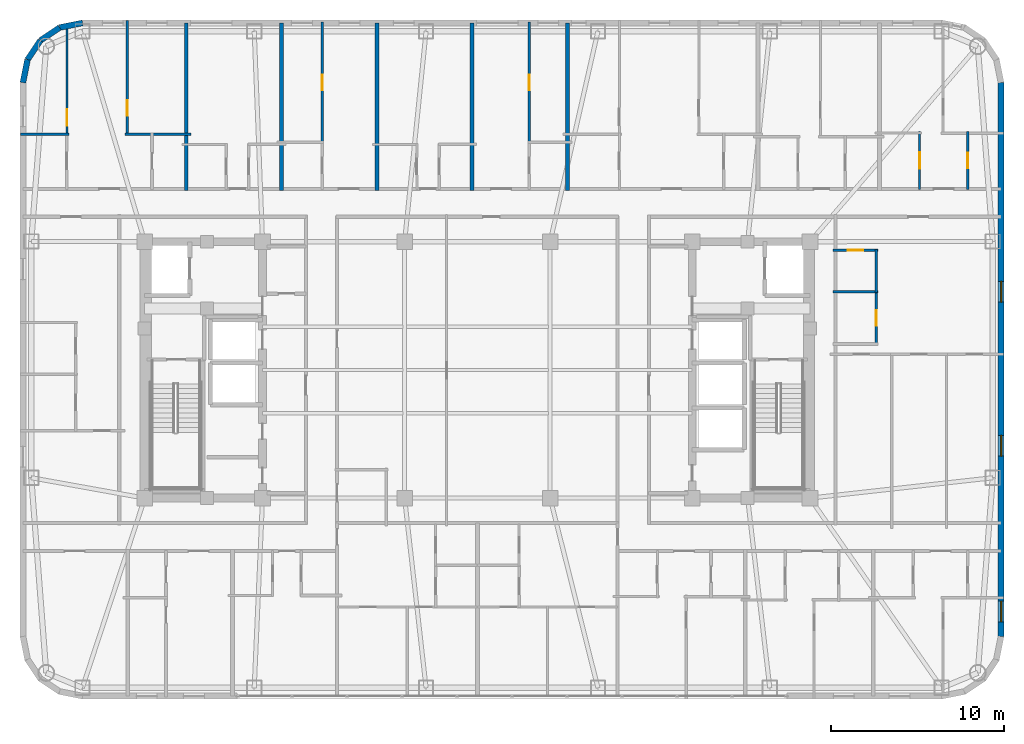
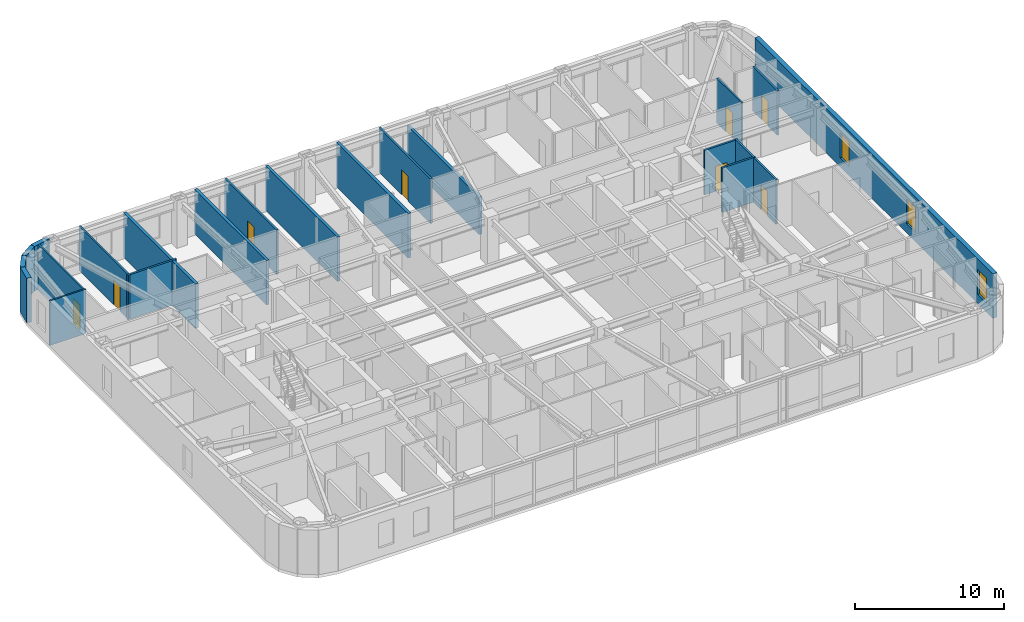
# One storey, part 13 of 17: 22 walls, 8 doors, 3 windows, 11 openings.
"""IFC4 building model written with IfcOpenShell, lengths in metres."""

from ifc_helpers import new_model, si_unit, direction, frame, frame_2d, origin, place, context, subcontext, project, spatial, rectangle, extrude, material, layer, layer_set, type_object, element, fill, save


model = new_model("IFC4")

# Units and contexts
model_context = context("Model", 3, precision=1e-05, world=origin(), true_north=direction((0.0, 1.0)))
body_context = subcontext(model_context, "Body", "Model", "MODEL_VIEW")
ifc_project = project(units=[si_unit("LENGTHUNIT", "METRE"), si_unit("AREAUNIT", "SQUARE_METRE"), si_unit("VOLUMEUNIT", "CUBIC_METRE"), si_unit("PLANEANGLEUNIT", "RADIAN"), si_unit("MASSUNIT", "GRAM", prefix="KILO")], contexts=[model_context])

# Site, building, storey
site_placement = place(None, origin())
site = spatial("IfcSite", under=ifc_project, at=site_placement, CompositionType="ELEMENT")
building_placement = place(site_placement, origin())
building = spatial("IfcBuilding", under=site, at=building_placement, Name="Voryun Gate Residences", CompositionType="ELEMENT")
storey_placement = place(building_placement, frame((0.0, 0.0, 204.10009765625)))
storey = spatial("IfcBuildingStorey", under=building, at=storey_placement, Name="L50", CompositionType="ELEMENT", Elevation=204.10009765625)

# Walls
ifc_material_1 = material(Name="Charcoal terracotta masonry", Category="masonry")
ifc_layer_1 = layer(ifc_material_1, 0.340087890625, Name="W_EXT_TERRACOTTA_340")
ifc_layer_set_1 = layer_set([ifc_layer_1], Name="Charcoal terracotta masonry")
wall_type_1 = type_object("IfcWallType", Name="W_EXT_TERRACOTTA_340", PredefinedType="ELEMENTEDWALL", material=ifc_layer_set_1)
wall_1_placement = place(storey_placement, frame((-26.22998046875, 16.583251953125, 0.0), z_axis=(0.0, 0.0, 1.0), x_axis=(0.195075878998, 0.980788153188, 0.0)))
element("IfcWall", 1, at=wall_1_placement, inside=storey, type_object=wall_type_1, Name="Exterior wall WEXT-L50-07", PredefinedType="ELEMENTEDWALL", context=body_context, shape_type="SweptSolid", body=[
    extrude(rectangle(XDim=1.354248046875, YDim=0.340087890625, at=frame_2d((0.67724609375, 0.0))), origin(), (0.0, 0.0, 1.0), 3.64990234375),
])
for number, where, z_axis, x_axis, name in (
    (2, (-25.9658203125, 17.911376953125, 0.0), (0.0, 0.0, 1.0), (0.555669034571, 0.831403586725, 0.0), "Exterior wall WEXT-L50-08"),
    (3, (-25.222900390625, 19.02294921875, 0.0), (0.0, 0.0, 1.0), (0.831403586725, 0.555669034571, 0.0), "Exterior wall WEXT-L50-09"),
):
    element("IfcWall", number, at=place(storey_placement, frame(where, z_axis=z_axis, x_axis=x_axis)), inside=storey, type_object=wall_type_1, Name=name, PredefinedType="ELEMENTEDWALL", context=body_context, shape_type="SweptSolid", body=[
        extrude(rectangle(XDim=1.3369140625, YDim=0.340087890625, at=frame_2d((0.66845703125, 0.0))), origin(), (0.0, 0.0, 1.0), 3.64990234375),
    ])
wall_2_placement = place(storey_placement, frame((-24.111328125, 19.765869140625, 0.0), z_axis=(0.0, 0.0, 1.0), x_axis=(0.980788153188, 0.195075878998, 0.0)))
element("IfcWall", 4, at=wall_2_placement, inside=storey, type_object=wall_type_1, Name="Exterior wall WEXT-L50-10", PredefinedType="ELEMENTEDWALL", context=body_context, shape_type="SweptSolid", body=[
    extrude(rectangle(XDim=1.354248046875, YDim=0.340087890625, at=frame_2d((0.67724609375, 0.0))), origin(), (0.0, 0.0, 1.0), 3.64990234375),
])

# Wall, openings, windows
wall_3_placement = place(storey_placement, frame((30.22998046875, 16.583251953125, 0.0), z_axis=(0.0, 0.0, 1.0), x_axis=(0.0, -1.0, 0.0)))
wall_3 = element("IfcWall", 5, at=wall_3_placement, inside=storey, type_object=wall_type_1, Name="Exterior wall WEXT-L50-16", PredefinedType="ELEMENTEDWALL", context=body_context, shape_type="SweptSolid", body=[
    extrude(rectangle(XDim=31.966552734375, YDim=0.340087890625, at=frame_2d((15.9833984375, 0.0))), origin(), (0.0, 0.0, 1.0), 3.64990234375),
])
opening_1_placement = place(wall_3_placement, frame((29.923583984375, 0.0, 0.75)))
opening_1 = element("IfcOpeningElement", 6, at=opening_1_placement, cuts=wall_3, Name="Opening WN6", PredefinedType="OPENING", context=body_context, shape_type="SweptSolid", body=[
    extrude(rectangle(XDim=1.199951171875, YDim=2.050048828125, at=frame_2d((0.60009765625, 1.02490234375))), frame((0.0, 0.179931640625, 0.0), z_axis=(0.0, -1.0, 0.0), x_axis=(1.0, 0.0, 0.0)), (0.0, 0.0, 1.0), 0.360107421875),
])
opening_2_placement = place(wall_3_placement, frame((11.46337890625, 0.0, 0.75)))
opening_2 = element("IfcOpeningElement", 7, at=opening_2_placement, cuts=wall_3, Name="Opening WN6", PredefinedType="OPENING", context=body_context, shape_type="SweptSolid", body=[
    extrude(rectangle(XDim=1.199951171875, YDim=2.050048828125, at=frame_2d((0.60009765625, 1.02490234375))), frame((0.0, 0.179931640625, 0.0), z_axis=(0.0, -1.0, 0.0), x_axis=(1.0, 0.0, 0.0)), (0.0, 0.0, 1.0), 0.360107421875),
])
opening_3_placement = place(wall_3_placement, frame((20.36328125, 0.0, 0.75)))
opening_3 = element("IfcOpeningElement", 8, at=opening_3_placement, cuts=wall_3, Name="Opening WN6", PredefinedType="OPENING", context=body_context, shape_type="SweptSolid", body=[
    extrude(rectangle(XDim=1.199951171875, YDim=2.050048828125, at=frame_2d((0.60009765625, 1.02490234375))), frame((0.0, 0.179931640625, 0.0), z_axis=(0.0, -1.0, 0.0), x_axis=(1.0, 0.0, 0.0)), (0.0, 0.0, 1.0), 0.360107421875),
])
ifc_material_2 = material(Name="Laminated low-E glass", Category="glass")
window_type = type_object("IfcWindowType", Name="WN_POD_SLOT_1200", PartitioningType="SINGLE_PANEL", PredefinedType="WINDOW", material=ifc_material_2)
window_1_placement = place(opening_1_placement, origin())
window_1 = element("IfcWindow", 9, at=window_1_placement, inside=storey, type_object=window_type, Name="Window WN-L50-DWFIX-19", OverallHeight=2.050048828125, OverallWidth=1.199951171875, PartitioningType="SINGLE_PANEL", PredefinedType="WINDOW", context=body_context, shape_type="SweptSolid", body=[
    extrude(rectangle(XDim=1.199951171875, YDim=2.050048828125, at=frame_2d((0.60009765625, 1.02490234375))), frame((0.0, 0.030029296875, 0.0), z_axis=(0.0, -1.0, 0.0), x_axis=(1.0, 0.0, 0.0)), (0.0, 0.0, 1.0), 0.06005859375),
])
fill(opening_1, window_1)
window_2_placement = place(opening_2_placement, origin())
window_2 = element("IfcWindow", 10, at=window_2_placement, inside=storey, type_object=window_type, Name="Window WN-L50-DWFIX-22", OverallHeight=2.050048828125, OverallWidth=1.199951171875, PartitioningType="SINGLE_PANEL", PredefinedType="WINDOW", context=body_context, shape_type="SweptSolid", body=[
    extrude(rectangle(XDim=1.199951171875, YDim=2.050048828125, at=frame_2d((0.60009765625, 1.02490234375))), frame((0.0, 0.030029296875, 0.0), z_axis=(0.0, -1.0, 0.0), x_axis=(1.0, 0.0, 0.0)), (0.0, 0.0, 1.0), 0.06005859375),
])
fill(opening_2, window_2)
window_3_placement = place(opening_3_placement, origin())
window_3 = element("IfcWindow", 11, at=window_3_placement, inside=storey, type_object=window_type, Name="Window WN-L50-DWFIX-23", OverallHeight=2.050048828125, OverallWidth=1.199951171875, PartitioningType="SINGLE_PANEL", PredefinedType="WINDOW", context=body_context, shape_type="SweptSolid", body=[
    extrude(rectangle(XDim=1.199951171875, YDim=2.050048828125, at=frame_2d((0.60009765625, 1.02490234375))), frame((0.0, 0.030029296875, 0.0), z_axis=(0.0, -1.0, 0.0), x_axis=(1.0, 0.0, 0.0)), (0.0, 0.0, 1.0), 0.06005859375),
])
fill(opening_3, window_3)

# Walls
ifc_material_3 = material(Name="Concrete C40/50", Category="concrete")
ifc_layer_2 = layer(ifc_material_3, 0.219970703125, Name="W_PARTY_ACOUSTIC_220")
ifc_layer_set_2 = layer_set([ifc_layer_2], Name="Concrete C40/50")
wall_type_2 = type_object("IfcWallType", Name="W_PARTY_ACOUSTIC_220", PredefinedType="PARTITIONING", material=ifc_layer_set_2)
for number, where, z_axis, x_axis, name in (
    (12, (-16.800048828125, 10.3701171875, 0.0), (0.0, 0.0, 1.0), (0.0, 1.0, 0.0), "Partition wall WP-L50-NPTY-1"),
    (13, (-11.300048828125, 10.3701171875, 0.0), (0.0, 0.0, 1.0), (0.0, 1.0, 0.0), "Partition wall WP-L50-NPTY-2"),
    (14, (-5.800048828125, 10.3701171875, 0.0), (0.0, 0.0, 1.0), (0.0, 1.0, 0.0), "Partition wall WP-L50-NPTY-3"),
    (15, (-0.300048828125, 10.3701171875, 0.0), (0.0, 0.0, 1.0), (0.0, 1.0, 0.0), "Partition wall WP-L50-NPTY-4"),
):
    element("IfcWall", number, at=place(storey_placement, frame(where, z_axis=z_axis, x_axis=x_axis)), inside=storey, type_object=wall_type_2, Name=name, PredefinedType="PARTITIONING", context=body_context, shape_type="SweptSolid", body=[
        extrude(rectangle(XDim=9.659912109375, YDim=0.219970703125, at=frame_2d((4.830078125, 0.0))), origin(), (0.0, 0.0, 1.0), 3.64990234375),
    ])
wall_4_placement = place(storey_placement, frame((5.199951171875, 10.3701171875, 0.0), z_axis=(0.0, 0.0, 1.0), x_axis=(0.0, 1.0, 0.0)))
element("IfcWall", 16, at=wall_4_placement, inside=storey, type_object=wall_type_2, Name="Partition wall WP-L50-NPTY-5", PredefinedType="PARTITIONING", context=body_context, shape_type="SweptSolid", body=[
    extrude(rectangle(XDim=9.659912109375, YDim=0.219970703125, at=frame_2d((4.830078125, 0.0))), origin(), (0.0, 0.0, 1.0), 3.08984375),
])

# Wall, opening, door
ifc_material_4 = material(Name="Gypsum acoustic partition")
ifc_layer_3 = layer(ifc_material_4, 0.125, Name="W_UNIT_PART_125")
ifc_layer_set_3 = layer_set([ifc_layer_3], Name="Gypsum acoustic partition")
wall_type_3 = type_object("IfcWallType", Name="W_UNIT_PART_125", PredefinedType="PARTITIONING", material=ifc_layer_set_3)
wall_5_placement = place(storey_placement, frame((-23.68701171875, 13.54052734375, 0.0), z_axis=(0.0, 0.0, 1.0), x_axis=(0.0, 1.0, 0.0)))
wall_5 = element("IfcWall", 17, at=wall_5_placement, inside=storey, type_object=wall_type_3, Name="Partition wall WP-L50-N1-OVL", PredefinedType="PARTITIONING", context=body_context, shape_type="SweptSolid", body=[
    extrude(rectangle(XDim=6.462646484375, YDim=0.125, at=frame_2d((3.2314453125, 0.0))), origin(), (0.0, 0.0, 1.0), 3.64990234375),
])
opening_4_placement = place(wall_5_placement, frame((0.544189453125, 0.0, 0.0)))
opening_4 = element("IfcOpeningElement", 18, at=opening_4_placement, cuts=wall_5, Name="Opening D-INT-1", PredefinedType="OPENING", context=body_context, shape_type="SweptSolid", body=[
    extrude(rectangle(XDim=0.949951171875, YDim=2.050048828125, at=frame_2d((0.47509765625, 1.02490234375))), frame((0.0, 0.072509765625, 0.0), z_axis=(0.0, -1.0, 0.0), x_axis=(1.0, 0.0, 0.0)), (0.0, 0.0, 1.0), 0.14501953125),
])
ifc_material_5 = material(Name="Architectural oak veneer")
door_type_1 = type_object("IfcDoorType", Name="DR_INT_ROOM_950", OperationType="NOTDEFINED", PredefinedType="DOOR", material=ifc_material_5)
door_1_placement = place(opening_4_placement, origin())
door_1 = element("IfcDoor", 19, at=door_1_placement, inside=storey, type_object=door_type_1, Name="Door DR-L50-N1-DB2", OperationType="SINGLE_SWING_LEFT", OverallHeight=2.050048828125, OverallWidth=0.949951171875, PredefinedType="DOOR", context=body_context, shape_type="SweptSolid", body=[
    extrude(rectangle(XDim=0.949951171875, YDim=2.050048828125, at=frame_2d((0.47509765625, 1.02490234375))), frame((0.0, 0.02490234375, 0.0), z_axis=(0.0, -1.0, 0.0), x_axis=(1.0, 0.0, 0.0)), (0.0, 0.0, 1.0), 0.050048828125),
])
fill(opening_4, door_1)

wall_6_placement = place(storey_placement, frame((-20.2099609375, 13.52294921875, 0.0), z_axis=(0.0, 0.0, 1.0), x_axis=(0.0, 1.0, 0.0)))
wall_6 = element("IfcWall", 20, at=wall_6_placement, inside=storey, type_object=wall_type_3, Name="Partition wall WP-L50-N1-OVR", PredefinedType="PARTITIONING", context=body_context, shape_type="SweptSolid", body=[
    extrude(rectangle(XDim=6.656982421875, YDim=0.125, at=frame_2d((3.32861328125, 0.0))), origin(), (0.0, 0.0, 1.0), 3.64990234375),
])
opening_5_placement = place(wall_6_placement, frame((1.147705078125, 0.0, 0.0)))
opening_5 = element("IfcOpeningElement", 21, at=opening_5_placement, cuts=wall_6, Name="Opening D-INT-2", PredefinedType="OPENING", context=body_context, shape_type="SweptSolid", body=[
    extrude(rectangle(XDim=0.89990234375, YDim=2.050048828125, at=frame_2d((0.449951171875, 1.02490234375))), frame((0.0, 0.072509765625, 0.0), z_axis=(0.0, -1.0, 0.0), x_axis=(1.0, 0.0, 0.0)), (0.0, 0.0, 1.0), 0.14501953125),
])
ifc_material_6 = material(Name="Architectural oak veneer")
door_type_2 = type_object("IfcDoorType", Name="DR_INT_BATH_900", OperationType="NOTDEFINED", PredefinedType="DOOR", material=ifc_material_6)
door_2_placement = place(opening_5_placement, origin())
door_2 = element("IfcDoor", 22, at=door_2_placement, inside=storey, type_object=door_type_2, Name="Door DR-L50-N1-DMB", OperationType="SINGLE_SWING_RIGHT", OverallHeight=2.050048828125, OverallWidth=0.89990234375, PredefinedType="DOOR", context=body_context, shape_type="SweptSolid", body=[
    extrude(rectangle(XDim=0.89990234375, YDim=2.050048828125, at=frame_2d((0.449951171875, 1.02490234375))), frame((0.0, 0.02490234375, 0.0), z_axis=(0.0, -1.0, 0.0), x_axis=(1.0, 0.0, 0.0)), (0.0, 0.0, 1.0), 0.050048828125),
])
fill(opening_5, door_2)

# Wall
wall_7_placement = place(storey_placement, frame((-26.3798828125, 13.60302734375, 0.0), z_axis=(0.0, 0.0, 1.0), x_axis=(1.0, 0.0, 0.0)))
element("IfcWall", 23, at=wall_7_placement, inside=storey, type_object=wall_type_3, Name="Partition wall WP-L50-N1-HZK", PredefinedType="PARTITIONING", context=body_context, shape_type="SweptSolid", body=[
    extrude(rectangle(XDim=2.81298828125, YDim=0.125, at=frame_2d((1.406494140625, 0.0))), origin(), (0.0, 0.0, 1.0), 3.64990234375),
])

# Wall, opening, door
wall_8_placement = place(storey_placement, frame((25.528076171875, 10.429931640625, 0.0), z_axis=(0.0, 0.0, 1.0), x_axis=(0.0, 1.0, 0.0)))
wall_8 = element("IfcWall", 24, at=wall_8_placement, inside=storey, type_object=wall_type_3, Name="Partition wall WP-L50-N8-IVK", PredefinedType="PARTITIONING", context=body_context, shape_type="SweptSolid", body=[
    extrude(rectangle(XDim=3.320068359375, YDim=0.125, at=frame_2d((1.66015625, 0.0))), origin(), (0.0, 0.0, 1.0), 3.64990234375),
])
opening_6_placement = place(wall_8_placement, frame((1.18505859375, 0.0, 0.0)))
opening_6 = element("IfcOpeningElement", 25, at=opening_6_placement, cuts=wall_8, Name="Opening D-INT-1", PredefinedType="OPENING", context=body_context, shape_type="SweptSolid", body=[
    extrude(rectangle(XDim=0.949951171875, YDim=2.050048828125, at=frame_2d((0.47509765625, 1.02490234375))), frame((0.0, 0.072509765625, 0.0), z_axis=(0.0, -1.0, 0.0), x_axis=(1.0, 0.0, 0.0)), (0.0, 0.0, 1.0), 0.14501953125),
])
door_3_placement = place(opening_6_placement, origin())
door_3 = element("IfcDoor", 26, at=door_3_placement, inside=storey, type_object=door_type_1, Name="Door DR-L50-N8-DK", OperationType="SINGLE_SWING_LEFT", OverallHeight=2.050048828125, OverallWidth=0.949951171875, PredefinedType="DOOR", context=body_context, shape_type="SweptSolid", body=[
    extrude(rectangle(XDim=0.949951171875, YDim=2.050048828125, at=frame_2d((0.47509765625, 1.02490234375))), frame((0.0, 0.02490234375, 0.0), z_axis=(0.0, -1.0, 0.0), x_axis=(1.0, 0.0, 0.0)), (0.0, 0.0, 1.0), 0.050048828125),
])
fill(opening_6, door_3)

# Wall
ifc_material_7 = material(Name="Gypsum moisture-resistant partition")
ifc_layer_4 = layer(ifc_material_7, 0.14990234375, Name="W_WET_PLUMB_150")
ifc_layer_set_4 = layer_set([ifc_layer_4], Name="Gypsum moisture-resistant partition")
wall_type_4 = type_object("IfcWallType", Name="W_WET_PLUMB_150", PredefinedType="PLUMBINGWALL", material=ifc_layer_set_4)
wall_9_placement = place(storey_placement, frame((-20.330078125, 13.60302734375, 0.0), z_axis=(0.0, 0.0, 1.0), x_axis=(1.0, 0.0, 0.0)))
element("IfcWall", 27, at=wall_9_placement, inside=storey, type_object=wall_type_4, Name="Partition wall WP-L50-N1-HZB", PredefinedType="PLUMBINGWALL", context=body_context, shape_type="SweptSolid", body=[
    extrude(rectangle(XDim=3.7900390625, YDim=0.14990234375, at=frame_2d((1.89501953125, 0.0))), origin(), (0.0, 0.0, 1.0), 3.64990234375),
])

# Wall, opening, door
wall_10_placement = place(storey_placement, frame((-8.958984375, 13.110107421875, 0.0), z_axis=(0.0, 0.0, 1.0), x_axis=(0.0, 1.0, 0.0)))
wall_10 = element("IfcWall", 28, at=wall_10_placement, inside=storey, type_object=wall_type_4, Name="Partition wall WP-L50-N3-SVT2", PredefinedType="PLUMBINGWALL", context=body_context, shape_type="SweptSolid", body=[
    extrude(rectangle(XDim=6.966796875, YDim=0.14990234375, at=frame_2d((3.4833984375, 0.0))), origin(), (0.0, 0.0, 1.0), 3.64990234375),
])
opening_7_placement = place(wall_10_placement, frame((3.033447265625, 0.0, 0.0)))
opening_7 = element("IfcOpeningElement", 29, at=opening_7_placement, cuts=wall_10, Name="Opening D-INT-2", PredefinedType="OPENING", context=body_context, shape_type="SweptSolid", body=[
    extrude(rectangle(XDim=0.89990234375, YDim=2.050048828125, at=frame_2d((0.449951171875, 1.02490234375))), frame((0.0, 0.0849609375, 0.0), z_axis=(0.0, -1.0, 0.0), x_axis=(1.0, 0.0, 0.0)), (0.0, 0.0, 1.0), 0.169921875),
])
door_4_placement = place(opening_7_placement, origin())
door_4 = element("IfcDoor", 30, at=door_4_placement, inside=storey, type_object=door_type_2, Name="Door DR-L50-N3-DK", OperationType="SINGLE_SWING_RIGHT", OverallHeight=2.050048828125, OverallWidth=0.89990234375, PredefinedType="DOOR", context=body_context, shape_type="SweptSolid", body=[
    extrude(rectangle(XDim=0.89990234375, YDim=2.050048828125, at=frame_2d((0.449951171875, 1.02490234375))), frame((0.0, 0.02490234375, 0.0), z_axis=(0.0, -1.0, 0.0), x_axis=(1.0, 0.0, 0.0)), (0.0, 0.0, 1.0), 0.050048828125),
])
fill(opening_7, door_4)

wall_11_placement = place(storey_placement, frame((2.989990234375, 13.110107421875, 0.0), z_axis=(0.0, 0.0, 1.0), x_axis=(0.0, 1.0, 0.0)))
wall_11 = element("IfcWall", 31, at=wall_11_placement, inside=storey, type_object=wall_type_4, Name="Partition wall WP-L50-N5-SVT2", PredefinedType="PLUMBINGWALL", context=body_context, shape_type="SweptSolid", body=[
    extrude(rectangle(XDim=6.966796875, YDim=0.14990234375, at=frame_2d((3.4833984375, 0.0))), origin(), (0.0, 0.0, 1.0), 3.64990234375),
])
opening_8_placement = place(wall_11_placement, frame((3.033447265625, 0.0, 0.0)))
opening_8 = element("IfcOpeningElement", 32, at=opening_8_placement, cuts=wall_11, Name="Opening D-INT-2", PredefinedType="OPENING", context=body_context, shape_type="SweptSolid", body=[
    extrude(rectangle(XDim=0.89990234375, YDim=2.050048828125, at=frame_2d((0.449951171875, 1.02490234375))), frame((0.0, 0.0849609375, 0.0), z_axis=(0.0, -1.0, 0.0), x_axis=(1.0, 0.0, 0.0)), (0.0, 0.0, 1.0), 0.169921875),
])
door_5_placement = place(opening_8_placement, origin())
door_5 = element("IfcDoor", 33, at=door_5_placement, inside=storey, type_object=door_type_2, Name="Door DR-L50-N5-DK", OperationType="SINGLE_SWING_RIGHT", OverallHeight=2.050048828125, OverallWidth=0.89990234375, PredefinedType="DOOR", context=body_context, shape_type="SweptSolid", body=[
    extrude(rectangle(XDim=0.89990234375, YDim=2.050048828125, at=frame_2d((0.449951171875, 1.02490234375))), frame((0.0, 0.02490234375, 0.0), z_axis=(0.0, -1.0, 0.0), x_axis=(1.0, 0.0, 0.0)), (0.0, 0.0, 1.0), 0.050048828125),
])
fill(opening_8, door_5)

wall_12_placement = place(storey_placement, frame((28.31689453125, 10.429931640625, 0.0), z_axis=(0.0, 0.0, 1.0), x_axis=(0.0, 1.0, 0.0)))
wall_12 = element("IfcWall", 34, at=wall_12_placement, inside=storey, type_object=wall_type_4, Name="Partition wall WP-L50-N8-IVB", PredefinedType="PLUMBINGWALL", context=body_context, shape_type="SweptSolid", body=[
    extrude(rectangle(XDim=3.320068359375, YDim=0.14990234375, at=frame_2d((1.66015625, 0.0))), origin(), (0.0, 0.0, 1.0), 3.64990234375),
])
opening_9_placement = place(wall_12_placement, frame((1.2099609375, 0.0, 0.0)))
opening_9 = element("IfcOpeningElement", 35, at=opening_9_placement, cuts=wall_12, Name="Opening D-INT-2", PredefinedType="OPENING", context=body_context, shape_type="SweptSolid", body=[
    extrude(rectangle(XDim=0.89990234375, YDim=2.050048828125, at=frame_2d((0.449951171875, 1.02490234375))), frame((0.0, 0.0849609375, 0.0), z_axis=(0.0, -1.0, 0.0), x_axis=(1.0, 0.0, 0.0)), (0.0, 0.0, 1.0), 0.169921875),
])
door_6_placement = place(opening_9_placement, origin())
door_6 = element("IfcDoor", 36, at=door_6_placement, inside=storey, type_object=door_type_2, Name="Door DR-L50-N8-DB", OperationType="SINGLE_SWING_RIGHT", OverallHeight=2.050048828125, OverallWidth=0.89990234375, PredefinedType="DOOR", context=body_context, shape_type="SweptSolid", body=[
    extrude(rectangle(XDim=0.89990234375, YDim=2.050048828125, at=frame_2d((0.449951171875, 1.02490234375))), frame((0.0, 0.02490234375, 0.0), z_axis=(0.0, -1.0, 0.0), x_axis=(1.0, 0.0, 0.0)), (0.0, 0.0, 1.0), 0.050048828125),
])
fill(opening_9, door_6)

wall_13_placement = place(storey_placement, frame((20.52001953125, 6.89990234375, 0.0), z_axis=(0.0, 0.0, 1.0), x_axis=(1.0, 0.0, 0.0)))
wall_13 = element("IfcWall", 37, at=wall_13_placement, inside=storey, type_object=wall_type_4, Name="Partition wall WP-L50-E1-IBT", PredefinedType="PLUMBINGWALL", context=body_context, shape_type="SweptSolid", body=[
    extrude(rectangle(XDim=2.619873046875, YDim=0.14990234375, at=frame_2d((1.31005859375, 0.0))), origin(), (0.0, 0.0, 1.0), 3.64990234375),
])
opening_10_placement = place(wall_13_placement, frame((0.860107421875, 0.0, 0.0)))
opening_10 = element("IfcOpeningElement", 38, at=opening_10_placement, cuts=wall_13, Name="Opening D-INT-2", PredefinedType="OPENING", context=body_context, shape_type="SweptSolid", body=[
    extrude(rectangle(XDim=0.89990234375, YDim=2.050048828125, at=frame_2d((0.449951171875, 1.02490234375))), frame((0.0, 0.0849609375, 0.0), z_axis=(0.0, -1.0, 0.0), x_axis=(1.0, 0.0, 0.0)), (0.0, 0.0, 1.0), 0.169921875),
])
door_7_placement = place(opening_10_placement, origin())
door_7 = element("IfcDoor", 39, at=door_7_placement, inside=storey, type_object=door_type_2, Name="Door DR-L50-E1-DK", OperationType="SINGLE_SWING_LEFT", OverallHeight=2.050048828125, OverallWidth=0.89990234375, PredefinedType="DOOR", context=body_context, shape_type="SweptSolid", body=[
    extrude(rectangle(XDim=0.89990234375, YDim=2.050048828125, at=frame_2d((0.449951171875, 1.02490234375))), frame((0.0, 0.02490234375, 0.0), z_axis=(0.0, -1.0, 0.0), x_axis=(1.0, 0.0, 0.0)), (0.0, 0.0, 1.0), 0.050048828125),
])
fill(opening_10, door_7)

# Wall
wall_14_placement = place(storey_placement, frame((20.52001953125, 4.52001953125, 0.0), z_axis=(0.0, 0.0, 1.0), x_axis=(1.0, 0.0, 0.0)))
element("IfcWall", 40, at=wall_14_placement, inside=storey, type_object=wall_type_4, Name="Partition wall WP-L50-E1-IKB", PredefinedType="PLUMBINGWALL", context=body_context, shape_type="SweptSolid", body=[
    extrude(rectangle(XDim=2.619873046875, YDim=0.14990234375, at=frame_2d((1.31005859375, 0.0))), origin(), (0.0, 0.0, 1.0), 3.64990234375),
])

# Wall, opening, door
wall_15_placement = place(storey_placement, frame((23.02001953125, 1.43994140625, 0.0), z_axis=(0.0, 0.0, 1.0), x_axis=(0.0, 1.0, 0.0)))
wall_15 = element("IfcWall", 41, at=wall_15_placement, inside=storey, type_object=wall_type_4, Name="Partition wall WP-L50-E1-VTSK1", PredefinedType="PLUMBINGWALL", context=body_context, shape_type="SweptSolid", body=[
    extrude(rectangle(XDim=3.1201171875, YDim=0.14990234375, at=frame_2d((1.56005859375, 0.0))), origin(), (0.0, 0.0, 1.0), 3.64990234375),
])
opening_11_placement = place(wall_15_placement, frame((1.110107421875, 0.0, 0.0)))
opening_11 = element("IfcOpeningElement", 42, at=opening_11_placement, cuts=wall_15, Name="Opening D-INT-2", PredefinedType="OPENING", context=body_context, shape_type="SweptSolid", body=[
    extrude(rectangle(XDim=0.89990234375, YDim=2.050048828125, at=frame_2d((0.449951171875, 1.02490234375))), frame((0.0, 0.0849609375, 0.0), z_axis=(0.0, -1.0, 0.0), x_axis=(1.0, 0.0, 0.0)), (0.0, 0.0, 1.0), 0.169921875),
])
door_8_placement = place(opening_11_placement, origin())
door_8 = element("IfcDoor", 43, at=door_8_placement, inside=storey, type_object=door_type_2, Name="Door DR-L50-E1-DB", OperationType="SINGLE_SWING_RIGHT", OverallHeight=2.050048828125, OverallWidth=0.89990234375, PredefinedType="DOOR", context=body_context, shape_type="SweptSolid", body=[
    extrude(rectangle(XDim=0.89990234375, YDim=2.050048828125, at=frame_2d((0.449951171875, 1.02490234375))), frame((0.0, 0.02490234375, 0.0), z_axis=(0.0, -1.0, 0.0), x_axis=(1.0, 0.0, 0.0)), (0.0, 0.0, 1.0), 0.050048828125),
])
fill(opening_11, door_8)

# Wall
wall_16_placement = place(storey_placement, frame((23.02001953125, 4.47998046875, 0.0), z_axis=(0.0, 0.0, 1.0), x_axis=(0.0, 1.0, 0.0)))
element("IfcWall", 44, at=wall_16_placement, inside=storey, type_object=wall_type_4, Name="Partition wall WP-L50-E1-VTSK2", PredefinedType="PLUMBINGWALL", context=body_context, shape_type="SweptSolid", body=[
    extrude(rectangle(XDim=2.47998046875, YDim=0.14990234375, at=frame_2d((1.239990234375, 0.0))), origin(), (0.0, 0.0, 1.0), 3.64990234375),
])

save(model, "model.ifc")
